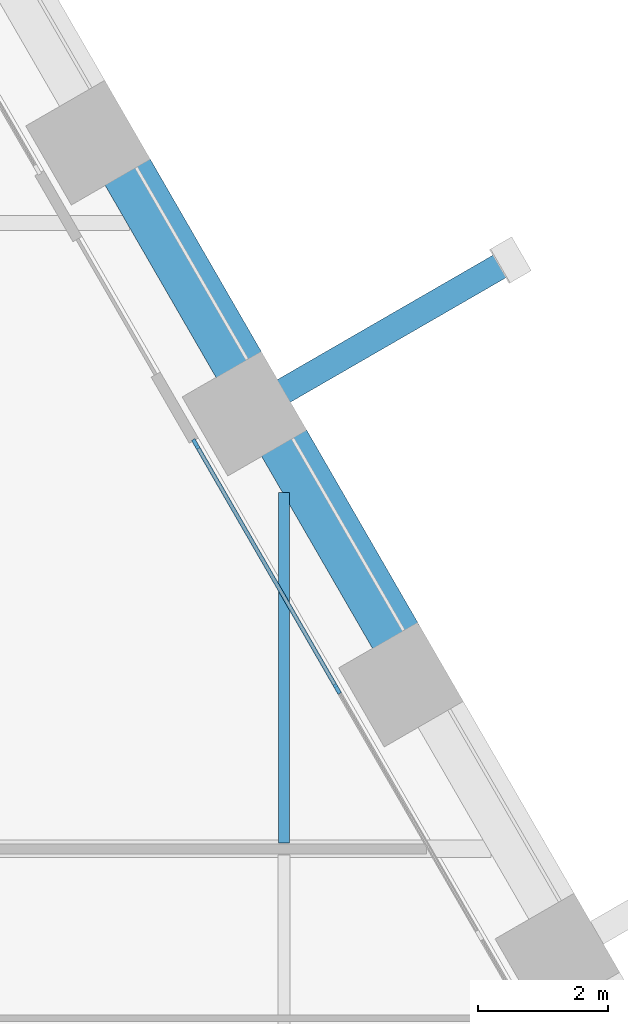
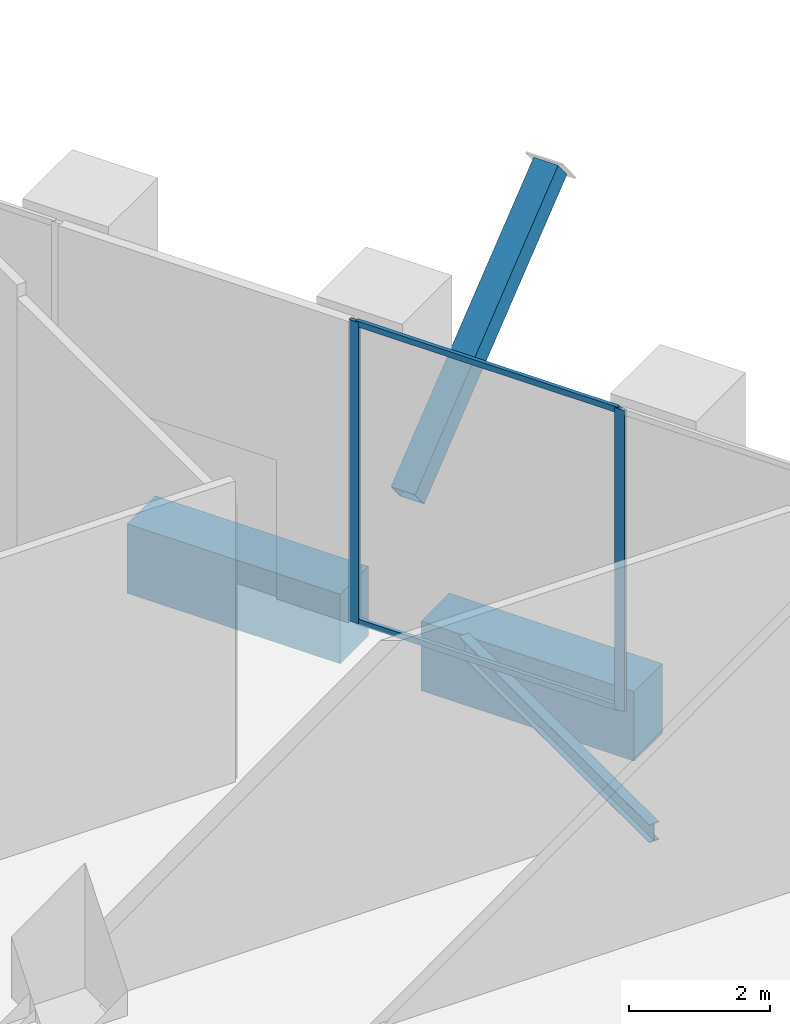
# One storey, part 13 of 29: 5 members, 3 beams, 1 element without a shape of its own.
"""IFC4 building model written with IfcOpenShell, lengths in metres."""

from ifc_helpers import new_model, si_unit, direction, frame, origin, origin_2d, place, context, subcontext, project, spatial, rectangle, hollow_rectangle, i_section, extrude, material, material_profile, profile_set, type_object, element, aggregate, save


model = new_model("IFC4")

# Units and contexts
model_context = context("Model", 3, precision=1e-05, world=origin(), true_north=direction((0.0, 1.0)))
body_context = subcontext(model_context, "Body", "Model", "MODEL_VIEW")
ifc_project = project(units=[si_unit("LENGTHUNIT", "METRE"), si_unit("AREAUNIT", "SQUARE_METRE"), si_unit("VOLUMEUNIT", "CUBIC_METRE"), si_unit("PLANEANGLEUNIT", "RADIAN"), si_unit("MASSUNIT", "GRAM", prefix="KILO")], contexts=[model_context])

# Site, building, storey
site_placement = place(None, origin())
site = spatial("IfcSite", under=ifc_project, at=site_placement, CompositionType="ELEMENT")
building_placement = place(site_placement, origin())
building = spatial("IfcBuilding", under=site, at=building_placement, Name="Kolab Exchange Tower", CompositionType="ELEMENT")
storey_placement = place(building_placement, frame((0.0, 0.0, 55.39990234375)))
storey = spatial("IfcBuildingStorey", under=building, at=storey_placement, Name="L10", CompositionType="ELEMENT", Elevation=55.39990234375)

# Beam
ifc_material_1 = material(Name="Steel S355", Category="steel")
ifc_material_profile_1 = material_profile(ifc_material_1, i_section(OverallWidth=0.1650390625, OverallDepth=0.31005859375, WebThickness=0.005859375, FlangeThickness=0.009765625, at=origin_2d()), Name="W310X39")
ifc_profile_set_1 = profile_set([ifc_material_profile_1], Name="Steel S355")
beam_type_1 = type_object("IfcBeamType", Name="FLOOR BEAM W310X39", PredefinedType="BEAM", material=ifc_profile_set_1)
beam_1_placement = place(storey_placement, frame((28.800048828125, 9.693603515625, -0.40478515625), z_axis=(0.0, 1.0, 0.0), x_axis=(-1.0, 0.0, 0.0)))
element("IfcBeam", 1, at=beam_1_placement, inside=storey, type_object=beam_type_1, Name="beam/L10/fr/061", PredefinedType="BEAM", context=body_context, shape_type="SweptSolid", body=[
    extrude(i_section(OverallWidth=0.1650390625, OverallDepth=0.31005859375, WebThickness=0.005859375, FlangeThickness=0.009765625, at=origin_2d()), origin(), (0.0, 0.0, 1.0), 5.3740234375),
])

# Member
ifc_material_profile_2 = material_profile(ifc_material_1, hollow_rectangle(XDim=0.39990234375, YDim=0.39990234375, WallThickness=0.02001953125, at=origin_2d()), Name="HSS400X400X20")
ifc_profile_set_2 = profile_set([ifc_material_profile_2], Name="Steel S355")
member_type_1 = type_object("IfcMemberType", Name="LEDGE STRUT HSS400X400X20", PredefinedType="STRUT", material=ifc_profile_set_2)
member_1_placement = place(storey_placement, frame((28.765380859375, 16.607666015625, 1.22802734375), z_axis=(0.675602790468, 0.39005913672, 0.625631472493), x_axis=(-0.499999695987, 0.866025579307, 0.0)))
element("IfcMember", 2, at=member_1_placement, inside=storey, type_object=member_type_1, Name="mem/L10/ledge/strut-2", PredefinedType="STRUT", context=body_context, shape_type="SweptSolid", body=[
    extrude(hollow_rectangle(XDim=0.39990234375, YDim=0.39990234375, WallThickness=0.02001953125, at=origin_2d()), origin(), (0.0, 0.0, 1.0), 5.1787109375),
])

# Beams
ifc_material_2 = material(Name="Concrete C80/95", Category="concrete")
ifc_material_profile_3 = material_profile(ifc_material_2, rectangle(XDim=0.800048828125, YDim=1.199951171875, at=origin_2d()), Name="RC800X1200")
ifc_profile_set_3 = profile_set([ifc_material_profile_3], Name="Concrete C80/95")
beam_type_2 = type_object("IfcBeamType", Name="SPANDREL BEAM 800X1200 C80/95", PredefinedType="BEAM", material=ifc_profile_set_3)
beam_2_placement = place(storey_placement, frame((26.383544921875, 20.012939453125, -0.849853515625), z_axis=(0.500009906705, -0.86601968407, 0.0), x_axis=(0.86601968407, 0.500009906705, 0.0)))
element("IfcBeam", 3, at=beam_2_placement, inside=storey, type_object=beam_type_2, Name="beam/L10/sp/F2-04", PredefinedType="BEAM", context=body_context, shape_type="SweptSolid", body=[
    extrude(rectangle(XDim=0.800048828125, YDim=1.199951171875, at=origin_2d()), origin(), (0.0, 0.0, 1.0), 3.47998046875),
])
beam_3_placement = place(storey_placement, frame((28.78369140625, 15.856201171875, -0.849853515625), z_axis=(0.499979528911, -0.866037222451, 0.0), x_axis=(0.866037222451, 0.499979528911, 0.0)))
element("IfcBeam", 4, at=beam_3_placement, inside=storey, type_object=beam_type_2, Name="beam/L10/sp/F2-05", PredefinedType="BEAM", context=body_context, shape_type="SweptSolid", body=[
    extrude(rectangle(XDim=0.800048828125, YDim=1.199951171875, at=origin_2d()), origin(), (0.0, 0.0, 1.0), 3.480224609375),
])

# Curtain wall, members
ifc_material_3 = material(Name="Aluminium EN AW-6063 T6", Category="aluminium")
curtain_wall_type = type_object("IfcCurtainWallType", Name="UNITISED LOW ZONE CURTAIN WALL", PredefinedType="NOTDEFINED", material=ifc_material_3)
curtain_wall_placement = place(storey_placement, origin())
curtain_wall = element("IfcCurtainWall", 5, at=curtain_wall_placement, inside=storey, type_object=curtain_wall_type, Name="cw/L10/F2-2", PredefinedType="NOTDEFINED")
ifc_material_profile_4 = material_profile(ifc_material_3, rectangle(XDim=0.06005859375, YDim=0.159912109375, at=origin_2d()), Name="RECT 60X160")
ifc_profile_set_4 = profile_set([ifc_material_profile_4], Name="Aluminium EN AW-6063 T6")
member_type_2 = type_object("IfcMemberType", Name="UNITISED LOW ZONE MULLION 60 X 160", PredefinedType="MULLION", material=ifc_profile_set_4)
member_2_placement = place(storey_placement, frame((27.44677734375, 15.811767578125, 0.0), z_axis=(0.0, 0.0, 1.0), x_axis=(0.866025422102, 0.499999968274, 0.0)))
member_2 = element("IfcMember", 6, at=member_2_placement, type_object=member_type_2, Name="CW1 mullion 1", PredefinedType="MULLION", context=body_context, shape_type="SweptSolid", body=[
    extrude(rectangle(XDim=0.06005859375, YDim=0.159912109375, at=origin_2d()), origin(), (0.0, 0.0, 1.0), 5.2001953125),
])
member_3_placement = place(storey_placement, frame((29.615234375, 12.0556640625, 0.0), z_axis=(0.0, 0.0, 1.0), x_axis=(0.866025422102, 0.499999968274, 0.0)))
member_3 = element("IfcMember", 7, at=member_3_placement, type_object=member_type_2, Name="CW1 mullion 2", PredefinedType="MULLION", context=body_context, shape_type="SweptSolid", body=[
    extrude(rectangle(XDim=0.06005859375, YDim=0.159912109375, at=origin_2d()), origin(), (0.0, 0.0, 1.0), 5.2001953125),
])
ifc_material_profile_5 = material_profile(ifc_material_3, rectangle(XDim=0.06005859375, YDim=0.10009765625, at=origin_2d()), Name="RECT 60X100")
ifc_profile_set_5 = profile_set([ifc_material_profile_5], Name="Aluminium EN AW-6063 T6")
member_type_3 = type_object("IfcMemberType", Name="UNITISED LOW ZONE TRANSOM 60 X 100", PredefinedType="USERDEFINED", material=ifc_profile_set_5)
member_4_placement = place(storey_placement, frame((27.461669921875, 15.78564453125, 0.030029296875), z_axis=(0.500000816281, -0.866024932504, 0.0), x_axis=(0.866024932504, 0.500000816281, 0.0)))
member_4 = element("IfcMember", 8, at=member_4_placement, type_object=member_type_3, Name="CW1 transom 1.1", ObjectType="TRANSOM", PredefinedType="USERDEFINED", context=body_context, shape_type="SweptSolid", body=[
    extrude(rectangle(XDim=0.06005859375, YDim=0.10009765625, at=origin_2d()), origin(), (0.0, 0.0, 1.0), 4.27685546875),
])
member_5_placement = place(storey_placement, frame((27.461669921875, 15.78564453125, 5.170166015625), z_axis=(0.500000816281, -0.866024932504, 0.0), x_axis=(0.866024932504, 0.500000816281, 0.0)))
member_5 = element("IfcMember", 9, at=member_5_placement, type_object=member_type_3, Name="CW1 transom 1.2", ObjectType="TRANSOM", PredefinedType="USERDEFINED", context=body_context, shape_type="SweptSolid", body=[
    extrude(rectangle(XDim=0.06005859375, YDim=0.10009765625, at=origin_2d()), origin(), (0.0, 0.0, 1.0), 4.27685546875),
])
aggregate(curtain_wall, [member_2, member_3, member_4, member_5])

save(model, "model.ifc")
